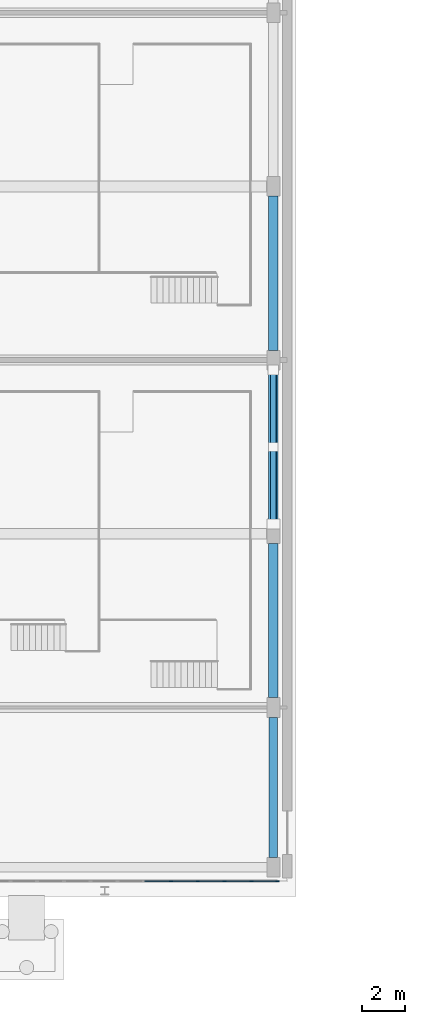
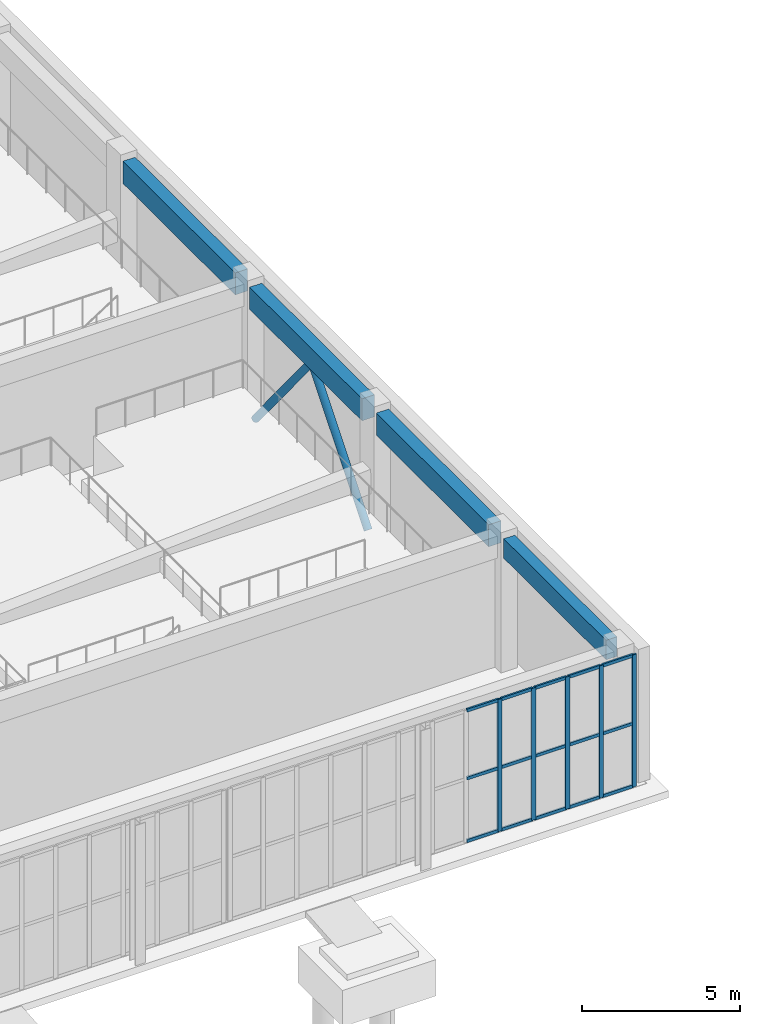
# One storey, part 8 of 46: 22 members, 4 beams, 1 element without a shape of its own.
"""IFC4 building model written with IfcOpenShell, lengths in metres."""

from ifc_helpers import new_model, si_unit, direction, frame, origin, origin_2d, place, context, subcontext, project, spatial, rectangle, hollow_circle, extrude, material, layer, layer_set, material_profile, profile_set, type_object, element, aggregate, save


model = new_model("IFC4")

# Units and contexts
model_context = context("Model", 3, precision=1e-05, world=origin(), true_north=direction((0.0, 1.0)))
body_context = subcontext(model_context, "Body", "Model", "MODEL_VIEW")
ifc_project = project(units=[si_unit("LENGTHUNIT", "METRE"), si_unit("AREAUNIT", "SQUARE_METRE"), si_unit("VOLUMEUNIT", "CUBIC_METRE"), si_unit("PLANEANGLEUNIT", "RADIAN"), si_unit("MASSUNIT", "GRAM", prefix="KILO")], contexts=[model_context])

# Site, building, storey
site_placement = place(None, origin())
site = spatial("IfcSite", under=ifc_project, at=site_placement, CompositionType="ELEMENT")
building_placement = place(site_placement, origin())
building = spatial("IfcBuilding", under=site, at=building_placement, Name="Cinchona Park Media Centre", CompositionType="ELEMENT")
storey_placement = place(building_placement, origin())
storey = spatial("IfcBuildingStorey", under=building, at=storey_placement, Name="L00", CompositionType="ELEMENT", Elevation=0.0)

# Beams
ifc_material_1 = material(Name="Concrete C35/45", Category="concrete")
ifc_material_profile_1 = material_profile(ifc_material_1, rectangle(XDim=0.39990234375, YDim=0.75, at=origin_2d()), Name="RB 400X750")
ifc_profile_set_1 = profile_set([ifc_material_profile_1], Name="Concrete C35/45")
beam_type_1 = type_object("IfcBeamType", Name="BEAM-B01-RB400X750", PredefinedType="BEAM", material=ifc_profile_set_1)
beam_placement = place(storey_placement, frame((45.360107421875, 8.68994140625, 4.764892578125), z_axis=(0.0, 1.0, 0.0), x_axis=(-1.0, 0.0, 0.0)))
element("IfcBeam", 1, at=beam_placement, inside=storey, type_object=beam_type_1, Name="Girder B01 L00", PredefinedType="BEAM", context=body_context, shape_type="SweptSolid", body=[
    extrude(rectangle(XDim=0.39990234375, YDim=0.75, at=origin_2d()), origin(), (0.0, 0.0, 1.0), 6.4599609375),
])
ifc_material_2 = material(Name="Concrete C35/45", Category="concrete")
ifc_material_profile_2 = material_profile(ifc_material_2, rectangle(XDim=0.449951171875, YDim=0.85009765625, at=origin_2d()), Name="RB 450X850")
ifc_profile_set_2 = profile_set([ifc_material_profile_2], Name="Concrete C35/45")
beam_type_2 = type_object("IfcBeamType", Name="BEAM-B02-RB450X850", PredefinedType="BEAM", material=ifc_profile_set_2)
for number, where, z_axis, x_axis, name in (
    (2, (45.360107421875, 16.050048828125, 4.715087890625), (0.0, 1.0, 0.0), (-1.0, 0.0, 0.0), "Girder B02 L00"),
    (3, (45.360107421875, 24.050048828125, 4.715087890625), (0.0, 1.0, 0.0), (-1.0, 0.0, 0.0), "Girder B02 L00"),
    (4, (45.360107421875, 32.050048828125, 4.715087890625), (0.0, 1.0, 0.0), (-1.0, 0.0, 0.0), "Girder B02 L00"),
):
    element("IfcBeam", number, at=place(storey_placement, frame(where, z_axis=z_axis, x_axis=x_axis)), inside=storey, type_object=beam_type_2, Name=name, PredefinedType="BEAM", context=body_context, shape_type="SweptSolid", body=[
        extrude(rectangle(XDim=0.449951171875, YDim=0.85009765625, at=origin_2d()), origin(), (0.0, 0.0, 1.0), 7.099853515625),
    ])

# Members
ifc_material_3 = material(Name="Steel S355", Category="steel")
ifc_material_profile_3 = material_profile(ifc_material_3, hollow_circle(Radius=0.136474609375, WallThickness=0.01611328125, at=origin_2d()), Name="273X16CHS")
ifc_profile_set_3 = profile_set([ifc_material_profile_3], Name="Steel S355")
member_type_1 = type_object("IfcMemberType", Name="MEMBER-BR01-CHS273X16", PredefinedType="BRACE", material=ifc_profile_set_3)
for number, where, z_axis, x_axis, name in (
    (5, (45.360107421875, 24.054931640625, 0.0048828125), (0.0, 0.633043103411, 0.774116547571), (-1.0, 0.0, 0.0), "Vertical Chevron Brace BR01 L00"),
    (6, (45.360107421875, 31.14501953125, 0.0048828125), (0.0, -0.633016977741, 0.774137911416), (1.0, 0.0, 0.0), "Vertical Chevron Brace BR01 L00"),
):
    element("IfcMember", number, at=place(storey_placement, frame(where, z_axis=z_axis, x_axis=x_axis)), inside=storey, type_object=member_type_1, Name=name, PredefinedType="BRACE", context=body_context, shape_type="SweptSolid", body=[
        extrude(hollow_circle(Radius=0.136474609375, WallThickness=0.01611328125, at=origin_2d()), origin(), (0.0, 0.0, 1.0), 5.60009765625),
    ])

# Curtain wall, members
ifc_material_4 = material(Name="Aluminium Curtain Wall Framing", Category="aluminium")
ifc_layer = layer(ifc_material_4, 0.179931640625)
ifc_layer_set = layer_set([ifc_layer], Name="Aluminium Curtain Wall Framing")
curtain_wall_type = type_object("IfcCurtainWallType", Name="CW-CW01", PredefinedType="USERDEFINED", material=ifc_layer_set)
curtain_wall_placement = place(storey_placement, origin())
curtain_wall = element("IfcCurtainWall", 7, at=curtain_wall_placement, inside=storey, type_object=curtain_wall_type, Name="Curtain Wall CW01 L00", ObjectType="UNITISED CURTAIN WALL", PredefinedType="USERDEFINED")
ifc_material_5 = material(Name="Anodised Aluminium Alloy 6063-T6", Category="aluminium")
ifc_material_profile_4 = material_profile(ifc_material_5, rectangle(XDim=0.06494140625, YDim=0.159912109375, at=origin_2d()), Name="MUL-65X160")
ifc_profile_set_4 = profile_set([ifc_material_profile_4], Name="Anodised Aluminium Alloy 6063-T6")
member_type_2 = type_object("IfcMemberType", Name="MULLION-MUL01", PredefinedType="MULLION", material=ifc_profile_set_4)
member_1_placement = place(storey_placement, frame((45.547607421875, 7.60009765625, 0.050048828125), z_axis=(0.0, 0.0, 1.0), x_axis=(0.0, -1.0, 0.0)))
member_1 = element("IfcMember", 8, at=member_1_placement, type_object=member_type_2, Name="CW01 mullion 1", PredefinedType="MULLION", context=body_context, shape_type="SweptSolid", body=[
    extrude(rectangle(XDim=0.06494140625, YDim=0.159912109375, at=origin_2d()), origin(), (0.0, 0.0, 1.0), 5.08984375),
])
member_2_placement = place(storey_placement, frame((44.3466796875, 7.60009765625, 0.050048828125), z_axis=(0.0, 0.0, 1.0), x_axis=(0.0, -1.0, 0.0)))
member_2 = element("IfcMember", 9, at=member_2_placement, type_object=member_type_2, Name="CW01 mullion 2", PredefinedType="MULLION", context=body_context, shape_type="SweptSolid", body=[
    extrude(rectangle(XDim=0.06494140625, YDim=0.159912109375, at=origin_2d()), origin(), (0.0, 0.0, 1.0), 5.08984375),
])
member_3_placement = place(storey_placement, frame((43.11328125, 7.60009765625, 0.050048828125), z_axis=(0.0, 0.0, 1.0), x_axis=(0.0, -1.0, 0.0)))
member_3 = element("IfcMember", 10, at=member_3_placement, type_object=member_type_2, Name="CW01 mullion 3", PredefinedType="MULLION", context=body_context, shape_type="SweptSolid", body=[
    extrude(rectangle(XDim=0.06494140625, YDim=0.159912109375, at=origin_2d()), origin(), (0.0, 0.0, 1.0), 5.08984375),
])
member_4_placement = place(storey_placement, frame((41.8798828125, 7.60009765625, 0.050048828125), z_axis=(0.0, 0.0, 1.0), x_axis=(0.0, -1.0, 0.0)))
member_4 = element("IfcMember", 11, at=member_4_placement, type_object=member_type_2, Name="CW01 mullion 4", PredefinedType="MULLION", context=body_context, shape_type="SweptSolid", body=[
    extrude(rectangle(XDim=0.06494140625, YDim=0.159912109375, at=origin_2d()), origin(), (0.0, 0.0, 1.0), 5.08984375),
])
member_5_placement = place(storey_placement, frame((40.646728515625, 7.60009765625, 0.050048828125), z_axis=(0.0, 0.0, 1.0), x_axis=(0.0, -1.0, 0.0)))
member_5 = element("IfcMember", 12, at=member_5_placement, type_object=member_type_2, Name="CW01 mullion 5", PredefinedType="MULLION", context=body_context, shape_type="SweptSolid", body=[
    extrude(rectangle(XDim=0.06494140625, YDim=0.159912109375, at=origin_2d()), origin(), (0.0, 0.0, 1.0), 5.08984375),
])
ifc_material_6 = material(Name="Anodised Aluminium Alloy 6063-T6", Category="aluminium")
ifc_material_profile_5 = material_profile(ifc_material_6, rectangle(XDim=0.06494140625, YDim=0.1201171875, at=origin_2d()), Name="TRN-65X120")
ifc_profile_set_5 = profile_set([ifc_material_profile_5], Name="Anodised Aluminium Alloy 6063-T6")
member_type_3 = type_object("IfcMemberType", Name="TRANSOM-TRN01", PredefinedType="USERDEFINED", material=ifc_profile_set_5)
member_6_placement = place(storey_placement, frame((45.514892578125, 7.60009765625, 0.08251953125), z_axis=(-1.0, 0.0, 0.0), x_axis=(0.0, -1.0, 0.0)))
member_6 = element("IfcMember", 13, at=member_6_placement, type_object=member_type_3, Name="CW01 transom 1.1", ObjectType="TRANSOM", PredefinedType="USERDEFINED", context=body_context, shape_type="SweptSolid", body=[
    extrude(rectangle(XDim=0.06494140625, YDim=0.1201171875, at=origin_2d()), origin(), (0.0, 0.0, 1.0), 1.1357421875),
])
member_7_placement = place(storey_placement, frame((45.514892578125, 7.60009765625, 2.492919921875), z_axis=(-1.0, 0.0, 0.0), x_axis=(0.0, -1.0, 0.0)))
member_7 = element("IfcMember", 14, at=member_7_placement, type_object=member_type_3, Name="CW01 transom 1.2", ObjectType="TRANSOM", PredefinedType="USERDEFINED", context=body_context, shape_type="SweptSolid", body=[
    extrude(rectangle(XDim=0.06494140625, YDim=0.1201171875, at=origin_2d()), origin(), (0.0, 0.0, 1.0), 1.1357421875),
])
member_8_placement = place(storey_placement, frame((45.514892578125, 7.60009765625, 5.107421875), z_axis=(-1.0, 0.0, 0.0), x_axis=(0.0, -1.0, 0.0)))
member_8 = element("IfcMember", 15, at=member_8_placement, type_object=member_type_3, Name="CW01 transom 1.3", ObjectType="TRANSOM", PredefinedType="USERDEFINED", context=body_context, shape_type="SweptSolid", body=[
    extrude(rectangle(XDim=0.06494140625, YDim=0.1201171875, at=origin_2d()), origin(), (0.0, 0.0, 1.0), 1.1357421875),
])
member_9_placement = place(storey_placement, frame((44.314208984375, 7.60009765625, 0.08251953125), z_axis=(-1.0, 0.0, 0.0), x_axis=(0.0, -1.0, 0.0)))
member_9 = element("IfcMember", 16, at=member_9_placement, type_object=member_type_3, Name="CW01 transom 2.1", ObjectType="TRANSOM", PredefinedType="USERDEFINED", context=body_context, shape_type="SweptSolid", body=[
    extrude(rectangle(XDim=0.06494140625, YDim=0.1201171875, at=origin_2d()), origin(), (0.0, 0.0, 1.0), 1.16845703125),
])
member_10_placement = place(storey_placement, frame((44.314208984375, 7.60009765625, 2.492919921875), z_axis=(-1.0, 0.0, 0.0), x_axis=(0.0, -1.0, 0.0)))
member_10 = element("IfcMember", 17, at=member_10_placement, type_object=member_type_3, Name="CW01 transom 2.2", ObjectType="TRANSOM", PredefinedType="USERDEFINED", context=body_context, shape_type="SweptSolid", body=[
    extrude(rectangle(XDim=0.06494140625, YDim=0.1201171875, at=origin_2d()), origin(), (0.0, 0.0, 1.0), 1.16845703125),
])
member_11_placement = place(storey_placement, frame((44.314208984375, 7.60009765625, 5.107421875), z_axis=(-1.0, 0.0, 0.0), x_axis=(0.0, -1.0, 0.0)))
member_11 = element("IfcMember", 18, at=member_11_placement, type_object=member_type_3, Name="CW01 transom 2.3", ObjectType="TRANSOM", PredefinedType="USERDEFINED", context=body_context, shape_type="SweptSolid", body=[
    extrude(rectangle(XDim=0.06494140625, YDim=0.1201171875, at=origin_2d()), origin(), (0.0, 0.0, 1.0), 1.16845703125),
])
member_12_placement = place(storey_placement, frame((43.080810546875, 7.60009765625, 0.08251953125), z_axis=(-1.0, 0.0, 0.0), x_axis=(0.0, -1.0, 0.0)))
member_12 = element("IfcMember", 19, at=member_12_placement, type_object=member_type_3, Name="CW01 transom 3.1", ObjectType="TRANSOM", PredefinedType="USERDEFINED", context=body_context, shape_type="SweptSolid", body=[
    extrude(rectangle(XDim=0.06494140625, YDim=0.1201171875, at=origin_2d()), origin(), (0.0, 0.0, 1.0), 1.168212890625),
])
member_13_placement = place(storey_placement, frame((43.080810546875, 7.60009765625, 2.492919921875), z_axis=(-1.0, 0.0, 0.0), x_axis=(0.0, -1.0, 0.0)))
member_13 = element("IfcMember", 20, at=member_13_placement, type_object=member_type_3, Name="CW01 transom 3.2", ObjectType="TRANSOM", PredefinedType="USERDEFINED", context=body_context, shape_type="SweptSolid", body=[
    extrude(rectangle(XDim=0.06494140625, YDim=0.1201171875, at=origin_2d()), origin(), (0.0, 0.0, 1.0), 1.168212890625),
])
member_14_placement = place(storey_placement, frame((43.080810546875, 7.60009765625, 5.107421875), z_axis=(-1.0, 0.0, 0.0), x_axis=(0.0, -1.0, 0.0)))
member_14 = element("IfcMember", 21, at=member_14_placement, type_object=member_type_3, Name="CW01 transom 3.3", ObjectType="TRANSOM", PredefinedType="USERDEFINED", context=body_context, shape_type="SweptSolid", body=[
    extrude(rectangle(XDim=0.06494140625, YDim=0.1201171875, at=origin_2d()), origin(), (0.0, 0.0, 1.0), 1.168212890625),
])
member_15_placement = place(storey_placement, frame((41.847412109375, 7.60009765625, 0.08251953125), z_axis=(-1.0, 0.0, 0.0), x_axis=(0.0, -1.0, 0.0)))
member_15 = element("IfcMember", 22, at=member_15_placement, type_object=member_type_3, Name="CW01 transom 4.1", ObjectType="TRANSOM", PredefinedType="USERDEFINED", context=body_context, shape_type="SweptSolid", body=[
    extrude(rectangle(XDim=0.06494140625, YDim=0.1201171875, at=origin_2d()), origin(), (0.0, 0.0, 1.0), 1.168212890625),
])
member_16_placement = place(storey_placement, frame((41.847412109375, 7.60009765625, 2.492919921875), z_axis=(-1.0, 0.0, 0.0), x_axis=(0.0, -1.0, 0.0)))
member_16 = element("IfcMember", 23, at=member_16_placement, type_object=member_type_3, Name="CW01 transom 4.2", ObjectType="TRANSOM", PredefinedType="USERDEFINED", context=body_context, shape_type="SweptSolid", body=[
    extrude(rectangle(XDim=0.06494140625, YDim=0.1201171875, at=origin_2d()), origin(), (0.0, 0.0, 1.0), 1.168212890625),
])
member_17_placement = place(storey_placement, frame((41.847412109375, 7.60009765625, 5.107421875), z_axis=(-1.0, 0.0, 0.0), x_axis=(0.0, -1.0, 0.0)))
member_17 = element("IfcMember", 24, at=member_17_placement, type_object=member_type_3, Name="CW01 transom 4.3", ObjectType="TRANSOM", PredefinedType="USERDEFINED", context=body_context, shape_type="SweptSolid", body=[
    extrude(rectangle(XDim=0.06494140625, YDim=0.1201171875, at=origin_2d()), origin(), (0.0, 0.0, 1.0), 1.168212890625),
])
member_18_placement = place(storey_placement, frame((40.6142578125, 7.60009765625, 0.08251953125), z_axis=(-1.0, 0.0, 0.0), x_axis=(0.0, -1.0, 0.0)))
member_18 = element("IfcMember", 25, at=member_18_placement, type_object=member_type_3, Name="CW01 transom 5.1", ObjectType="TRANSOM", PredefinedType="USERDEFINED", context=body_context, shape_type="SweptSolid", body=[
    extrude(rectangle(XDim=0.06494140625, YDim=0.1201171875, at=origin_2d()), origin(), (0.0, 0.0, 1.0), 1.16845703125),
])
member_19_placement = place(storey_placement, frame((40.6142578125, 7.60009765625, 2.492919921875), z_axis=(-1.0, 0.0, 0.0), x_axis=(0.0, -1.0, 0.0)))
member_19 = element("IfcMember", 26, at=member_19_placement, type_object=member_type_3, Name="CW01 transom 5.2", ObjectType="TRANSOM", PredefinedType="USERDEFINED", context=body_context, shape_type="SweptSolid", body=[
    extrude(rectangle(XDim=0.06494140625, YDim=0.1201171875, at=origin_2d()), origin(), (0.0, 0.0, 1.0), 1.16845703125),
])
member_20_placement = place(storey_placement, frame((40.6142578125, 7.60009765625, 5.107421875), z_axis=(-1.0, 0.0, 0.0), x_axis=(0.0, -1.0, 0.0)))
member_20 = element("IfcMember", 27, at=member_20_placement, type_object=member_type_3, Name="CW01 transom 5.3", ObjectType="TRANSOM", PredefinedType="USERDEFINED", context=body_context, shape_type="SweptSolid", body=[
    extrude(rectangle(XDim=0.06494140625, YDim=0.1201171875, at=origin_2d()), origin(), (0.0, 0.0, 1.0), 1.16845703125),
])
aggregate(curtain_wall, [member_1, member_2, member_3, member_4, member_5, member_6, member_7, member_8, member_9, member_10, member_11, member_12, member_13, member_14, member_15, member_16, member_17, member_18, member_19, member_20])

save(model, "model.ifc")
